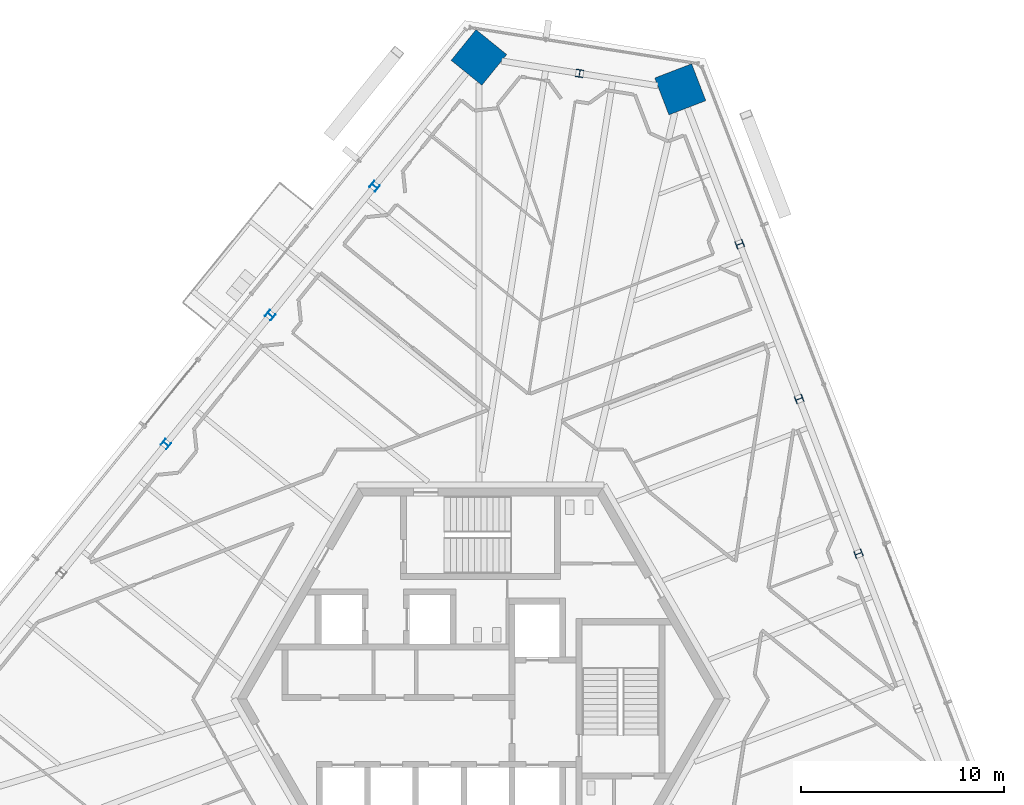
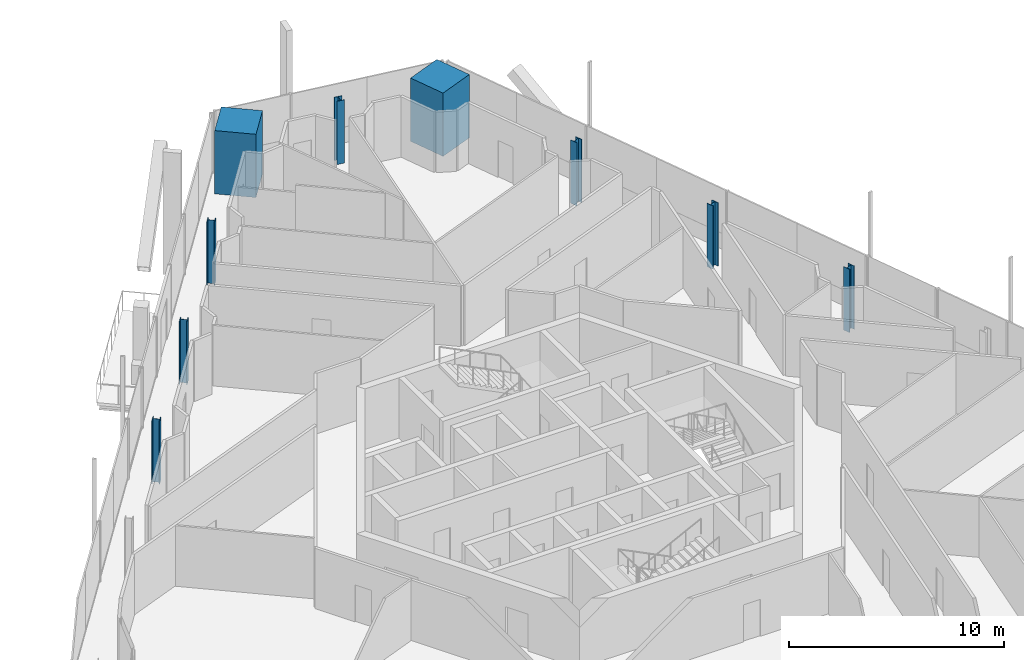
# One storey, part 3 of 23: 9 columns.
"""IFC4 building model written with IfcOpenShell, lengths in metres."""

from ifc_helpers import new_model, si_unit, direction, frame, origin, origin_2d, place, context, subcontext, project, spatial, rectangle, i_section, extrude, source, transform, mapped, material, material_profile, profile_set, type_object, element, save


model = new_model("IFC4")

# Units and contexts
model_context = context("Model", 3, precision=1e-05, world=origin(), true_north=direction((0.0, 1.0)))
body_context = subcontext(model_context, "Body", "Model", "MODEL_VIEW")
ifc_project = project(units=[si_unit("LENGTHUNIT", "METRE"), si_unit("AREAUNIT", "SQUARE_METRE"), si_unit("VOLUMEUNIT", "CUBIC_METRE"), si_unit("PLANEANGLEUNIT", "RADIAN"), si_unit("MASSUNIT", "GRAM", prefix="KILO")], contexts=[model_context])

# Site, building, storey
site_placement = place(None, origin())
site = spatial("IfcSite", under=ifc_project, at=site_placement, CompositionType="ELEMENT")
building_placement = place(site_placement, origin())
building = spatial("IfcBuilding", under=site, at=building_placement, Name="Triune Harvest Tower", CompositionType="ELEMENT")
storey_placement = place(building_placement, frame((0.0, 0.0, 167.699951171875)))
storey = spatial("IfcBuildingStorey", under=building, at=storey_placement, Name="L43", CompositionType="ELEMENT", Elevation=167.699951171875)

# Columns
ifc_material_1 = material(Name="Concrete 70 MPa", Category="concrete")
ifc_material_profile_1 = material_profile(ifc_material_1, rectangle(XDim=1.949951171875, YDim=1.949951171875, at=origin_2d()), Name="Composite 1950x1950")
ifc_profile_set_1 = profile_set([ifc_material_profile_1], Name="Concrete 70 MPa")
column_type_1 = type_object("IfcColumnType", Name="MC-4 Mega column Composite 1950x1950", PredefinedType="COLUMN", material=ifc_profile_set_1)
shared_shape_1 = source(origin(), body_context, "Body", "SweptSolid", [
    extrude(rectangle(XDim=1.949951171875, YDim=1.949951171875, at=origin_2d()), origin(), (0.0, 0.0, 1.0), 3.60009765625),
])
for number, where, z_axis, x_axis, name in (
    (1, (9.846923828125, 30.0498046875, 0.0), (0.0, 0.0, 1.0), (-0.358367949545, 0.933580426497, 0.0), "col/L43/M6"),
    (2, (-0.0791015625, 31.621826171875, 0.0), (0.0, 0.0, 1.0), (-0.629321747424, -0.777144863084, 0.0), "col/L43/M8"),
):
    element("IfcColumn", number, at=place(storey_placement, frame(where, z_axis=z_axis, x_axis=x_axis)), inside=storey, type_object=column_type_1, Name=name, PredefinedType="COLUMN", context=body_context, shape_type="MappedRepresentation", body=[
        mapped(shared_shape_1, transform((0.0, 0.0, 0.0), scale=1.0)),
    ])
ifc_material_2 = material(Name="Steel ASTM A992 Gr 50", Category="steel")
ifc_material_profile_2 = material_profile(ifc_material_2, i_section(OverallWidth=0.373291015625, OverallDepth=0.373291015625, WebThickness=0.016357421875, FlangeThickness=0.026123046875, at=origin_2d()), Name="W14x132")
ifc_profile_set_2 = profile_set([ifc_material_profile_2], Name="Steel ASTM A992 Gr 50")
column_type_2 = type_object("IfcColumnType", Name="PC-4 Perimeter column W14x132", PredefinedType="COLUMN", material=ifc_profile_set_2)
shared_shape_2 = source(origin(), body_context, "Body", "SweptSolid", [
    extrude(i_section(OverallWidth=0.373291015625, OverallDepth=0.373291015625, WebThickness=0.016357421875, FlangeThickness=0.026123046875, at=origin_2d()), origin(), (0.0, 0.0, 1.0), 3.60009765625),
])
for number, where, z_axis, x_axis, name in (
    (3, (18.635986328125, 7.15380859375, 0.0), (0.0, 0.0, 1.0), (-0.358367949545, 0.933580426497, 0.0), "col/L43/P3"),
    (4, (15.706298828125, 14.78564453125, 0.0), (0.0, 0.0, 1.0), (-0.358367949545, 0.933580426497, 0.0), "col/L43/P4"),
    (5, (12.776611328125, 22.417724609375, 0.0), (0.0, 0.0, 1.0), (-0.358367949545, 0.933580426497, 0.0), "col/L43/P5"),
    (6, (4.8837890625, 30.8359375, 0.0), (0.0, 0.0, 1.0), (-0.987688340595, 0.15643446504, 0.0), "col/L43/P7"),
    (7, (-5.223876953125, 25.268798828125, 0.0), (0.0, 0.0, 1.0), (-0.629321747424, -0.777144863084, 0.0), "col/L43/P9"),
    (8, (-10.36865234375, 18.91552734375, 0.0), (0.0, 0.0, 1.0), (-0.629321747424, -0.777144863084, 0.0), "col/L43/P10"),
    (9, (-15.51318359375, 12.5625, 0.0), (0.0, 0.0, 1.0), (-0.629321747424, -0.777144863084, 0.0), "col/L43/P11"),
):
    element("IfcColumn", number, at=place(storey_placement, frame(where, z_axis=z_axis, x_axis=x_axis)), inside=storey, type_object=column_type_2, Name=name, PredefinedType="COLUMN", context=body_context, shape_type="MappedRepresentation", body=[
        mapped(shared_shape_2, transform((0.0, 0.0, 0.0), scale=1.0)),
    ])

save(model, "model.ifc")
